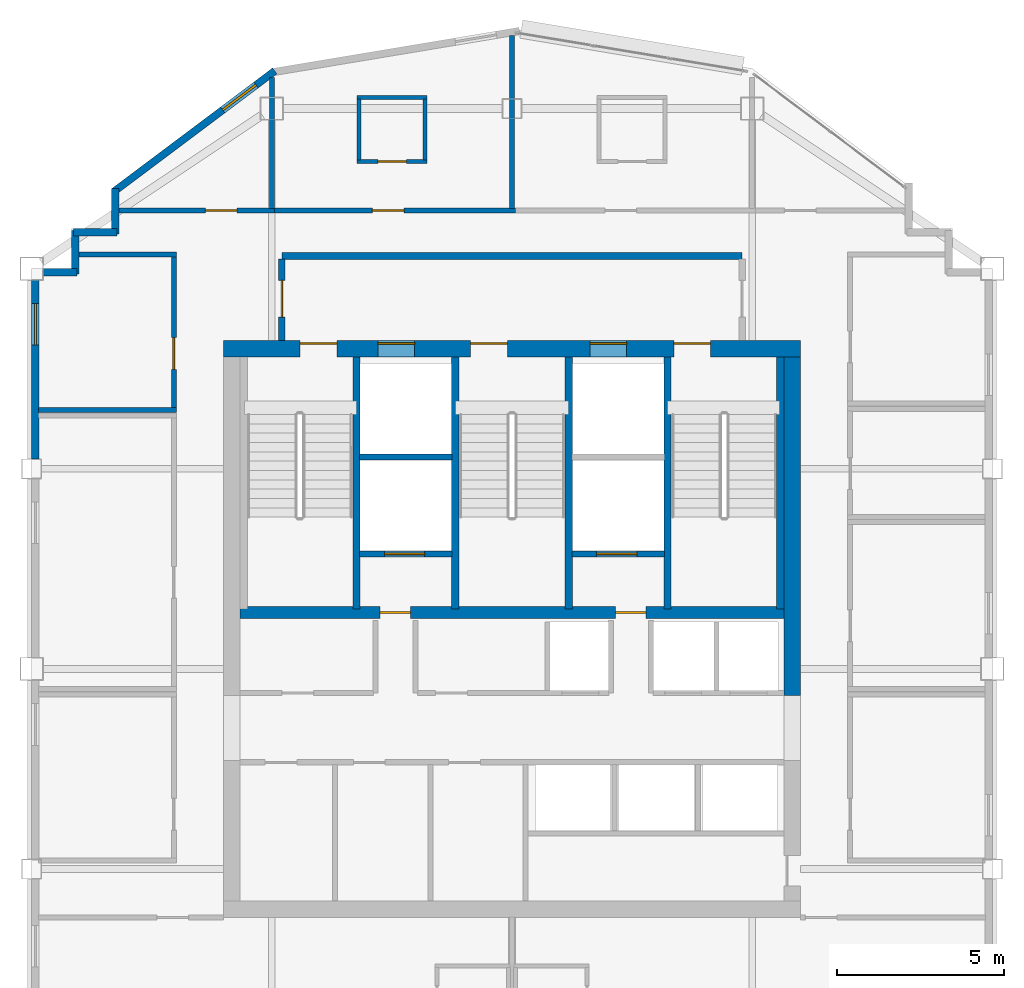
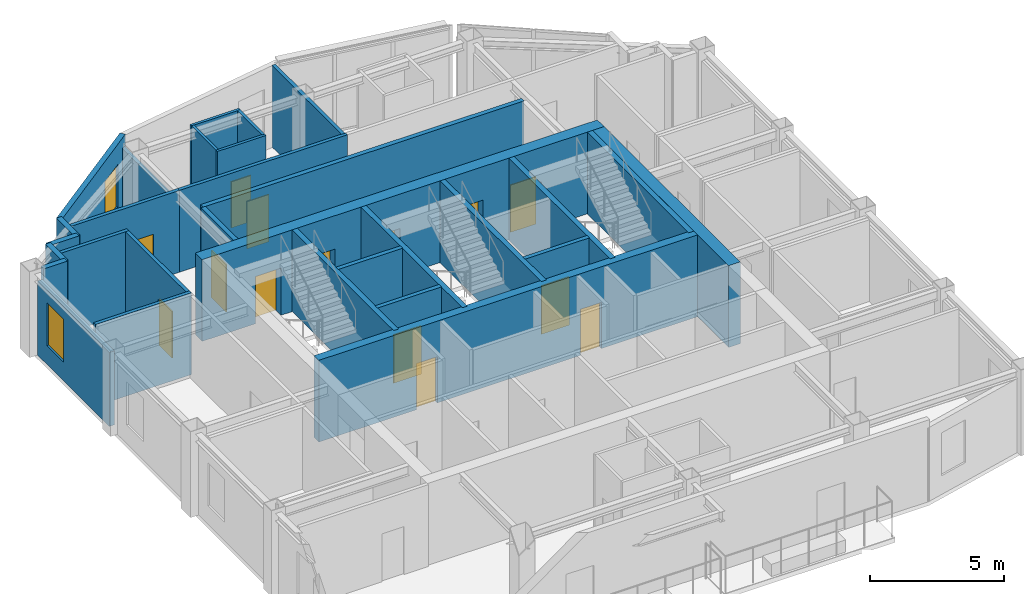
# One storey, part 6 of 10: 30 walls, 14 doors, 2 windows, 16 openings.
"""IFC4 building model written with IfcOpenShell, lengths in metres."""

from ifc_helpers import new_model, si_unit, direction, frame, frame_2d, origin, place, context, subcontext, project, spatial, rectangle, extrude, material, layer, layer_set, type_object, element, fill, save


model = new_model("IFC4")

# Units and contexts
model_context = context("Model", 3, precision=1e-05, world=origin(), true_north=direction((0.0, 1.0)))
body_context = subcontext(model_context, "Body", "Model", "MODEL_VIEW")
ifc_project = project(units=[si_unit("LENGTHUNIT", "METRE"), si_unit("AREAUNIT", "SQUARE_METRE"), si_unit("VOLUMEUNIT", "CUBIC_METRE"), si_unit("PLANEANGLEUNIT", "RADIAN"), si_unit("MASSUNIT", "GRAM", prefix="KILO")], contexts=[model_context])

# Site, building, storey
site_placement = place(None, origin())
site = spatial("IfcSite", under=ifc_project, at=site_placement, CompositionType="ELEMENT")
building_placement = place(site_placement, origin())
building = spatial("IfcBuilding", under=site, at=building_placement, Name="Haolan Belvedere Tower", CompositionType="ELEMENT")
storey_placement = place(building_placement, frame((0.0, 0.0, 286.10009765625)))
storey = spatial("IfcBuildingStorey", under=building, at=storey_placement, Name="L72", CompositionType="ELEMENT", Elevation=286.10009765625)

# Wall, openings, doors
ifc_material_1 = material(Name="Concrete C50/60", Category="concrete")
ifc_layer_1 = layer(ifc_material_1, 0.5, Name="Concrete C50/60")
ifc_layer_set_1 = layer_set([ifc_layer_1], Name="Concrete C50/60")
wall_type_1 = type_object("IfcWallType", Name="WL-CORE-500", PredefinedType="SHEAR", material=ifc_layer_set_1)
wall_1_placement = place(storey_placement, frame((29.75, 43.199951171875, 0.0), z_axis=(0.0, 0.0, 1.0), x_axis=(1.0, 0.0, 0.0)))
wall_1 = element("IfcWall", 1, at=wall_1_placement, inside=storey, type_object=wall_type_1, Name="L72 central core north shear wall", PredefinedType="SHEAR", context=body_context, shape_type="SweptSolid", body=[
    extrude(rectangle(XDim=17.300048828125, YDim=0.5, at=frame_2d((8.64990234375, 0.0))), origin(), (0.0, 0.0, 1.0), 3.719970703125),
])
opening_1_placement = place(wall_1_placement, frame((2.300048828125, 0.0, 0.0)))
opening_1 = element("IfcOpeningElement", 2, at=opening_1_placement, cuts=wall_1, Name="Opening FD-03", PredefinedType="OPENING", context=body_context, shape_type="SweptSolid", body=[
    extrude(rectangle(XDim=1.10009765625, YDim=2.14990234375, at=frame_2d((0.550048828125, 1.074951171875))), frame((0.0, 0.260009765625, 0.0), z_axis=(0.0, -1.0, 0.0), x_axis=(1.0, 0.0, 0.0)), (0.0, 0.0, 1.0), 0.52001953125),
])
opening_2_placement = place(wall_1_placement, frame((7.409912109375, 0.0, 0.0)))
opening_2 = element("IfcOpeningElement", 3, at=opening_2_placement, cuts=wall_1, Name="Opening FD-03", PredefinedType="OPENING", context=body_context, shape_type="SweptSolid", body=[
    extrude(rectangle(XDim=1.10009765625, YDim=2.14990234375, at=frame_2d((0.550048828125, 1.074951171875))), frame((0.0, 0.260009765625, 0.0), z_axis=(0.0, -1.0, 0.0), x_axis=(1.0, 0.0, 0.0)), (0.0, 0.0, 1.0), 0.52001953125),
])
opening_3_placement = place(wall_1_placement, frame((13.5, 0.0, 0.0)))
opening_3 = element("IfcOpeningElement", 4, at=opening_3_placement, cuts=wall_1, Name="Opening FD-03", PredefinedType="OPENING", context=body_context, shape_type="SweptSolid", body=[
    extrude(rectangle(XDim=1.10009765625, YDim=2.14990234375, at=frame_2d((0.550048828125, 1.074951171875))), frame((0.0, 0.260009765625, 0.0), z_axis=(0.0, -1.0, 0.0), x_axis=(1.0, 0.0, 0.0)), (0.0, 0.0, 1.0), 0.52001953125),
])
opening_4_placement = place(wall_1_placement, frame((4.6298828125, 0.0, 0.0)))
opening_4 = element("IfcOpeningElement", 5, at=opening_4_placement, cuts=wall_1, Name="Opening LD-01", PredefinedType="OPENING", context=body_context, shape_type="SweptSolid", body=[
    extrude(rectangle(XDim=1.10009765625, YDim=2.199951171875, at=frame_2d((0.550048828125, 1.10009765625))), frame((0.0, 0.260009765625, 0.0), z_axis=(0.0, -1.0, 0.0), x_axis=(1.0, 0.0, 0.0)), (0.0, 0.0, 1.0), 0.52001953125),
])
opening_5_placement = place(wall_1_placement, frame((10.989990234375, 0.0, 0.0)))
opening_5 = element("IfcOpeningElement", 6, at=opening_5_placement, cuts=wall_1, Name="Opening LD-01", PredefinedType="OPENING", context=body_context, shape_type="SweptSolid", body=[
    extrude(rectangle(XDim=1.10009765625, YDim=2.199951171875, at=frame_2d((0.550048828125, 1.10009765625))), frame((0.0, 0.260009765625, 0.0), z_axis=(0.0, -1.0, 0.0), x_axis=(1.0, 0.0, 0.0)), (0.0, 0.0, 1.0), 0.52001953125),
])
ifc_material_2 = material(Name="Galvanised fire-rated steel", Category="steel")
door_type_1 = type_object("IfcDoorType", Name="DR-FD90-1100", OperationType="NOTDEFINED", PredefinedType="DOOR", material=ifc_material_2)
door_1_placement = place(opening_1_placement, origin())
door_1 = element("IfcDoor", 7, at=door_1_placement, inside=storey, type_object=door_type_1, Name="L72 door CD-L72-ST1", OperationType="SINGLE_SWING_LEFT", OverallHeight=2.14990234375, OverallWidth=1.10009765625, PredefinedType="DOOR", context=body_context, shape_type="SweptSolid", body=[
    extrude(rectangle(XDim=1.10009765625, YDim=2.14990234375, at=frame_2d((0.550048828125, 1.074951171875))), frame((0.0, 0.18505859375, 0.0), z_axis=(0.0, -1.0, 0.0), x_axis=(1.0, 0.0, 0.0)), (0.0, 0.0, 1.0), 0.050048828125),
])
fill(opening_1, door_1)
door_2_placement = place(opening_2_placement, origin())
door_2 = element("IfcDoor", 8, at=door_2_placement, inside=storey, type_object=door_type_1, Name="L72 door CD-L72-ST3", OperationType="SINGLE_SWING_LEFT", OverallHeight=2.14990234375, OverallWidth=1.10009765625, PredefinedType="DOOR", context=body_context, shape_type="SweptSolid", body=[
    extrude(rectangle(XDim=1.10009765625, YDim=2.14990234375, at=frame_2d((0.550048828125, 1.074951171875))), frame((0.0, 0.18505859375, 0.0), z_axis=(0.0, -1.0, 0.0), x_axis=(1.0, 0.0, 0.0)), (0.0, 0.0, 1.0), 0.050048828125),
])
fill(opening_2, door_2)
door_3_placement = place(opening_3_placement, origin())
door_3 = element("IfcDoor", 9, at=door_3_placement, inside=storey, type_object=door_type_1, Name="L72 door CD-L72-ST2", OperationType="SINGLE_SWING_RIGHT", OverallHeight=2.14990234375, OverallWidth=1.10009765625, PredefinedType="DOOR", context=body_context, shape_type="SweptSolid", body=[
    extrude(rectangle(XDim=1.10009765625, YDim=2.14990234375, at=frame_2d((0.550048828125, 1.074951171875))), frame((0.0, 0.18505859375, 0.0), z_axis=(0.0, -1.0, 0.0), x_axis=(1.0, 0.0, 0.0)), (0.0, 0.0, 1.0), 0.050048828125),
])
fill(opening_3, door_3)
ifc_material_3 = material(Name="Brushed champagne stainless steel 316L", Category="steel")
door_type_2 = type_object("IfcDoorType", Name="DR-LIFT-1100", OperationType="SLIDING_TO_LEFT", PredefinedType="DOOR", material=ifc_material_3)
door_4_placement = place(opening_4_placement, origin())
door_4 = element("IfcDoor", 10, at=door_4_placement, inside=storey, type_object=door_type_2, Name="L72 door LD-L72-FF1", OperationType="SLIDING_TO_LEFT", OverallHeight=2.199951171875, OverallWidth=1.10009765625, PredefinedType="DOOR", context=body_context, shape_type="SweptSolid", body=[
    extrude(rectangle(XDim=1.10009765625, YDim=2.199951171875, at=frame_2d((0.550048828125, 1.10009765625))), frame((0.0, 0.18505859375, 0.0), z_axis=(0.0, -1.0, 0.0), x_axis=(1.0, 0.0, 0.0)), (0.0, 0.0, 1.0), 0.050048828125),
])
fill(opening_4, door_4)
door_5_placement = place(opening_5_placement, origin())
door_5 = element("IfcDoor", 11, at=door_5_placement, inside=storey, type_object=door_type_2, Name="L72 door LD-L72-FF2", OperationType="SLIDING_TO_LEFT", OverallHeight=2.199951171875, OverallWidth=1.10009765625, PredefinedType="DOOR", context=body_context, shape_type="SweptSolid", body=[
    extrude(rectangle(XDim=1.10009765625, YDim=2.199951171875, at=frame_2d((0.550048828125, 1.10009765625))), frame((0.0, 0.18505859375, 0.0), z_axis=(0.0, -1.0, 0.0), x_axis=(1.0, 0.0, 0.0)), (0.0, 0.0, 1.0), 0.050048828125),
])
fill(opening_5, door_5)

# Wall
wall_2_placement = place(storey_placement, frame((46.800048828125, 32.800048828125, 0.0), z_axis=(0.0, 0.0, 1.0), x_axis=(0.0, 1.0, 0.0)))
element("IfcWall", 12, at=wall_2_placement, inside=storey, type_object=wall_type_1, Name="L72 central core shear wall EN", PredefinedType="SHEAR", context=body_context, shape_type="SweptSolid", body=[
    extrude(rectangle(XDim=10.14990234375, YDim=0.5, at=frame_2d((5.074951171875, 0.0))), origin(), (0.0, 0.0, 1.0), 3.719970703125),
])

# Wall, opening, window
ifc_material_4 = material(Name="Precast concrete C40/50", Category="concrete")
ifc_layer_2 = layer(ifc_material_4, 0.219970703125, Name="Precast concrete C40/50")
ifc_layer_set_2 = layer_set([ifc_layer_2], Name="Precast concrete C40/50")
wall_type_2 = type_object("IfcWallType", Name="WL-EXT-220", PredefinedType="SOLIDWALL", material=ifc_layer_set_2)
wall_3_placement = place(storey_placement, frame((31.28857421875, 51.52880859375, 0.0), z_axis=(0.0, 0.0, 1.0), x_axis=(-0.800014580093, -0.599980559383, 0.0)))
wall_3 = element("IfcWall", 13, at=wall_3_placement, inside=storey, type_object=wall_type_2, Name="L72 pale-metal exterior spandrel wall 11.1", PredefinedType="SOLIDWALL", context=body_context, shape_type="SweptSolid", body=[
    extrude(rectangle(XDim=6.028076171875, YDim=0.219970703125, at=frame_2d((3.01416015625, 0.0))), origin(), (0.0, 0.0, 1.0), 3.719970703125),
])
opening_6_placement = place(wall_3_placement, frame((0.699951171875, 0.0, 0.85009765625)))
opening_6 = element("IfcOpeningElement", 14, at=opening_6_placement, cuts=wall_3, Name="Opening W-04", PredefinedType="OPENING", context=body_context, shape_type="SweptSolid", body=[
    extrude(rectangle(XDim=1.25, YDim=1.949951171875, at=frame_2d((0.625, 0.97509765625))), frame((0.0, 0.119873046875, 0.0), z_axis=(0.0, -1.0, 0.0), x_axis=(1.0, 0.0, 0.0)), (0.0, 0.0, 1.0), 0.239990234375),
])
ifc_material_5 = material(Name="Anodised aluminium 6063-T6 and Low-E glass", Category="aluminium")
window_type = type_object("IfcWindowType", Name="WN-DECO-Z4", PartitioningType="SINGLE_PANEL", PredefinedType="WINDOW", material=ifc_material_5)
window_1_placement = place(opening_6_placement, origin())
window_1 = element("IfcWindow", 15, at=window_1_placement, inside=storey, type_object=window_type, Name="L72 Art Deco chevron window 1", OverallHeight=1.949951171875, OverallWidth=1.25, PartitioningType="SINGLE_PANEL", PredefinedType="WINDOW", context=body_context, shape_type="SweptSolid", body=[
    extrude(rectangle(XDim=1.25, YDim=1.949951171875, at=frame_2d((0.625, 0.97509765625))), frame((0.0, 0.030029296875, 0.0), z_axis=(0.0, -1.0, 0.0), x_axis=(1.0, 0.0, 0.0)), (0.0, 0.0, 1.0), 0.06005859375),
])
fill(opening_6, window_1)

# Walls
wall_4_placement = place(storey_placement, frame((26.510009765625, 48.0, 0.0), z_axis=(0.0, 0.0, 1.0), x_axis=(0.0, -1.0, 0.0)))
element("IfcWall", 16, at=wall_4_placement, inside=storey, type_object=wall_type_2, Name="L72 pale-metal exterior spandrel wall 12.1", PredefinedType="SOLIDWALL", context=body_context, shape_type="SweptSolid", body=[
    extrude(rectangle(XDim=1.364990234375, YDim=0.219970703125, at=frame_2d((0.6826171875, 0.0))), origin(), (0.0, 0.0, 1.0), 3.719970703125),
])
for number, where, z_axis, x_axis, name in (
    (17, (26.56494140625, 46.68994140625, 0.0), (0.0, 0.0, 1.0), (-1.0, 0.0, 0.0), "L72 pale-metal exterior spandrel wall 13.1"),
    (18, (25.31005859375, 46.7451171875, 0.0), (0.0, 0.0, 1.0), (0.0, -1.0, 0.0), "L72 pale-metal exterior spandrel wall 14.1"),
):
    element("IfcWall", number, at=place(storey_placement, frame(where, z_axis=z_axis, x_axis=x_axis)), inside=storey, type_object=wall_type_2, Name=name, PredefinedType="SOLIDWALL", context=body_context, shape_type="SweptSolid", body=[
        extrude(rectangle(XDim=1.31005859375, YDim=0.219970703125, at=frame_2d((0.655029296875, 0.0))), origin(), (0.0, 0.0, 1.0), 3.719970703125),
    ])
wall_5_placement = place(storey_placement, frame((25.364990234375, 45.489990234375, 0.0), z_axis=(0.0, 0.0, 1.0), x_axis=(-1.0, 0.0, 0.0)))
element("IfcWall", 19, at=wall_5_placement, inside=storey, type_object=wall_type_2, Name="L72 pale-metal exterior spandrel wall 15.1", PredefinedType="SOLIDWALL", context=body_context, shape_type="SweptSolid", body=[
    extrude(rectangle(XDim=1.02294921875, YDim=0.219970703125, at=frame_2d((0.511474609375, 0.0))), origin(), (0.0, 0.0, 1.0), 3.719970703125),
])

# Wall, opening, window
wall_6_placement = place(storey_placement, frame((24.110107421875, 45.258056640625, 0.0), z_axis=(0.0, 0.0, 1.0), x_axis=(0.0, -1.0, 0.0)))
wall_6 = element("IfcWall", 20, at=wall_6_placement, inside=storey, type_object=wall_type_2, Name="L72 pale-metal exterior spandrel wall 16.1", PredefinedType="SOLIDWALL", context=body_context, shape_type="SweptSolid", body=[
    extrude(rectangle(XDim=5.365966796875, YDim=0.219970703125, at=frame_2d((2.68310546875, 0.0))), origin(), (0.0, 0.0, 1.0), 3.364990234375),
])
opening_7_placement = place(wall_6_placement, frame((0.699951171875, 0.0, 0.85009765625)))
opening_7 = element("IfcOpeningElement", 21, at=opening_7_placement, cuts=wall_6, Name="Opening W-04", PredefinedType="OPENING", context=body_context, shape_type="SweptSolid", body=[
    extrude(rectangle(XDim=1.25, YDim=1.949951171875, at=frame_2d((0.625, 0.97509765625))), frame((0.0, 0.119873046875, 0.0), z_axis=(0.0, -1.0, 0.0), x_axis=(1.0, 0.0, 0.0)), (0.0, 0.0, 1.0), 0.239990234375),
])
window_2_placement = place(opening_7_placement, origin())
window_2 = element("IfcWindow", 22, at=window_2_placement, inside=storey, type_object=window_type, Name="L72 Art Deco chevron window 1", OverallHeight=1.949951171875, OverallWidth=1.25, PartitioningType="SINGLE_PANEL", PredefinedType="WINDOW", context=body_context, shape_type="SweptSolid", body=[
    extrude(rectangle(XDim=1.25, YDim=1.949951171875, at=frame_2d((0.625, 0.97509765625))), frame((0.0, 0.030029296875, 0.0), z_axis=(0.0, -1.0, 0.0), x_axis=(1.0, 0.0, 0.0)), (0.0, 0.0, 1.0), 0.06005859375),
])
fill(opening_7, window_2)

# Wall
ifc_material_6 = material(Name="Concrete C40/50", Category="concrete")
ifc_layer_3 = layer(ifc_material_6, 0.199951171875, Name="Concrete C40/50")
ifc_layer_set_3 = layer_set([ifc_layer_3], Name="Concrete C40/50")
wall_type_3 = type_object("IfcWallType", Name="WL-FIRE-200", PredefinedType="SOLIDWALL", material=ifc_layer_set_3)
wall_7_placement = place(storey_placement, frame((31.5, 45.97998046875, 0.0), z_axis=(0.0, 0.0, 1.0), x_axis=(1.0, 0.0, 0.0)))
element("IfcWall", 23, at=wall_7_placement, inside=storey, type_object=wall_type_3, Name="L72 interior partition IW-L72-FFL-N", PredefinedType="SOLIDWALL", context=body_context, shape_type="SweptSolid", body=[
    extrude(rectangle(XDim=13.800048828125, YDim=0.199951171875, at=frame_2d((6.89990234375, 0.0))), origin(), (0.0, 0.0, 1.0), 3.719970703125),
])

# Wall, opening, door
wall_8_placement = place(storey_placement, frame((31.5, 43.449951171875, 0.0), z_axis=(0.0, 0.0, 1.0), x_axis=(0.0, 1.0, 0.0)))
wall_8 = element("IfcWall", 24, at=wall_8_placement, inside=storey, type_object=wall_type_3, Name="L72 interior partition IW-L72-FFL-W", PredefinedType="SOLIDWALL", context=body_context, shape_type="SweptSolid", body=[
    extrude(rectangle(XDim=2.445068359375, YDim=0.199951171875, at=frame_2d((1.22265625, 0.0))), origin(), (0.0, 0.0, 1.0), 3.719970703125),
])
opening_8_placement = place(wall_8_placement, frame((1.800048828125, 0.0, 0.0), z_axis=(0.0, 0.0, 1.0), x_axis=(-1.0, 0.0, 0.0)))
opening_8 = element("IfcOpeningElement", 25, at=opening_8_placement, cuts=wall_8, Name="Opening FD-03", PredefinedType="OPENING", context=body_context, shape_type="SweptSolid", body=[
    extrude(rectangle(XDim=1.10009765625, YDim=2.14990234375, at=frame_2d((0.550048828125, 1.074951171875))), frame((0.0, 0.10986328125, 0.0), z_axis=(0.0, -1.0, 0.0), x_axis=(1.0, 0.0, 0.0)), (0.0, 0.0, 1.0), 0.219970703125),
])
door_6_placement = place(opening_8_placement, origin())
door_6 = element("IfcDoor", 26, at=door_6_placement, inside=storey, type_object=door_type_1, Name="L72 door ID-L72-FFL-DW", OperationType="SINGLE_SWING_LEFT", OverallHeight=2.14990234375, OverallWidth=1.10009765625, PredefinedType="DOOR", context=body_context, shape_type="SweptSolid", body=[
    extrude(rectangle(XDim=1.10009765625, YDim=2.14990234375, at=frame_2d((0.550048828125, 1.074951171875))), frame((0.0, 0.02490234375, 0.0), z_axis=(0.0, -1.0, 0.0), x_axis=(1.0, 0.0, 0.0)), (0.0, 0.0, 1.0), 0.050048828125),
])
fill(opening_8, door_6)

# Walls
ifc_material_7 = material(Name="Double gypsum acoustic stud partition", Category="masonry")
ifc_layer_4 = layer(ifc_material_7, 0.14990234375, Name="Double gypsum acoustic stud partition")
ifc_layer_set_4 = layer_set([ifc_layer_4], Name="Double gypsum acoustic stud partition")
wall_type_4 = type_object("IfcWallType", Name="WL-PART-150", PredefinedType="PARTITIONING", material=ifc_layer_set_4)
wall_9_placement = place(storey_placement, frame((25.412109375, 46.02001953125, 0.0), z_axis=(0.0, 0.0, 1.0), x_axis=(1.0, 0.0, 0.0)))
element("IfcWall", 27, at=wall_9_placement, inside=storey, type_object=wall_type_4, Name="L72 interior partition IW-L72-HSK-N", PredefinedType="PARTITIONING", context=body_context, shape_type="SweptSolid", body=[
    extrude(rectangle(XDim=2.927978515625, YDim=0.14990234375, at=frame_2d((1.4638671875, 0.0))), origin(), (0.0, 0.0, 1.0), 3.719970703125),
])
wall_10_placement = place(storey_placement, frame((24.2119140625, 41.360107421875, 0.0), z_axis=(0.0, 0.0, 1.0), x_axis=(1.0, 0.0, 0.0)))
element("IfcWall", 28, at=wall_10_placement, inside=storey, type_object=wall_type_4, Name="L72 interior partition IW-L72-HSK-S", PredefinedType="PARTITIONING", context=body_context, shape_type="SweptSolid", body=[
    extrude(rectangle(XDim=4.128173828125, YDim=0.14990234375, at=frame_2d((2.06396484375, 0.0))), origin(), (0.0, 0.0, 1.0), 3.719970703125),
])

# Wall, opening, door
wall_11_placement = place(storey_placement, frame((28.260009765625, 41.419921875, 0.0), z_axis=(0.0, 0.0, 1.0), x_axis=(0.0, 1.0, 0.0)))
wall_11 = element("IfcWall", 29, at=wall_11_placement, inside=storey, type_object=wall_type_4, Name="L72 interior partition IW-L72-HSK-E", PredefinedType="PARTITIONING", context=body_context, shape_type="SweptSolid", body=[
    extrude(rectangle(XDim=4.5400390625, YDim=0.14990234375, at=frame_2d((2.27001953125, 0.0))), origin(), (0.0, 0.0, 1.0), 3.719970703125),
])
opening_9_placement = place(wall_11_placement, frame((2.10986328125, 0.0, 0.0), z_axis=(0.0, 0.0, 1.0), x_axis=(-1.0, 0.0, 0.0)))
opening_9 = element("IfcOpeningElement", 30, at=opening_9_placement, cuts=wall_11, Name="Opening ID-03", PredefinedType="OPENING", context=body_context, shape_type="SweptSolid", body=[
    extrude(rectangle(XDim=0.949951171875, YDim=2.1201171875, at=frame_2d((0.47509765625, 1.06005859375))), frame((0.0, 0.0849609375, 0.0), z_axis=(0.0, -1.0, 0.0), x_axis=(1.0, 0.0, 0.0)), (0.0, 0.0, 1.0), 0.169921875),
])
ifc_material_8 = material(Name="Painted solid-core timber", Category="wood")
door_type_3 = type_object("IfcDoorType", Name="DR-INT-950", OperationType="NOTDEFINED", PredefinedType="DOOR", material=ifc_material_8)
door_7_placement = place(opening_9_placement, origin())
door_7 = element("IfcDoor", 31, at=door_7_placement, inside=storey, type_object=door_type_3, Name="L72 door ID-L72-HSK", OperationType="SINGLE_SWING_RIGHT", OverallHeight=2.1201171875, OverallWidth=0.949951171875, PredefinedType="DOOR", context=body_context, shape_type="SweptSolid", body=[
    extrude(rectangle(XDim=0.949951171875, YDim=2.1201171875, at=frame_2d((0.47509765625, 1.06005859375))), frame((0.0, 0.02490234375, 0.0), z_axis=(0.0, -1.0, 0.0), x_axis=(1.0, 0.0, 0.0)), (0.0, 0.0, 1.0), 0.050048828125),
])
fill(opening_9, door_7)

wall_12_placement = place(storey_placement, frame((26.612060546875, 47.340087890625, 0.0), z_axis=(0.0, 0.0, 1.0), x_axis=(1.0, 0.0, 0.0)))
wall_12 = element("IfcWall", 32, at=wall_12_placement, inside=storey, type_object=wall_type_4, Name="L72 interior partition IW-L72-KN1-S", PredefinedType="PARTITIONING", context=body_context, shape_type="SweptSolid", body=[
    extrude(rectangle(XDim=4.66796875, YDim=0.14990234375, at=frame_2d((2.333984375, 0.0))), origin(), (0.0, 0.0, 1.0), 3.719970703125),
])
opening_10_placement = place(wall_12_placement, frame((2.593017578125, 0.0, 0.0)))
opening_10 = element("IfcOpeningElement", 33, at=opening_10_placement, cuts=wall_12, Name="Opening ID-03", PredefinedType="OPENING", context=body_context, shape_type="SweptSolid", body=[
    extrude(rectangle(XDim=0.949951171875, YDim=2.1201171875, at=frame_2d((0.47509765625, 1.06005859375))), frame((0.0, 0.0849609375, 0.0), z_axis=(0.0, -1.0, 0.0), x_axis=(1.0, 0.0, 0.0)), (0.0, 0.0, 1.0), 0.169921875),
])
door_8_placement = place(opening_10_placement, origin())
door_8 = element("IfcDoor", 34, at=door_8_placement, inside=storey, type_object=door_type_3, Name="L72 door ID-L72-KN1", OperationType="SINGLE_SWING_RIGHT", OverallHeight=2.1201171875, OverallWidth=0.949951171875, PredefinedType="DOOR", context=body_context, shape_type="SweptSolid", body=[
    extrude(rectangle(XDim=0.949951171875, YDim=2.1201171875, at=frame_2d((0.47509765625, 1.06005859375))), frame((0.0, 0.02490234375, 0.0), z_axis=(0.0, -1.0, 0.0), x_axis=(1.0, 0.0, 0.0)), (0.0, 0.0, 1.0), 0.050048828125),
])
fill(opening_10, door_8)

# Wall
wall_13_placement = place(storey_placement, frame((31.199951171875, 47.39990234375, 0.0), z_axis=(0.0, 0.0, 1.0), x_axis=(0.0, 1.0, 0.0)))
element("IfcWall", 35, at=wall_13_placement, inside=storey, type_object=wall_type_4, Name="L72 interior partition IW-L72-KN1-E", PredefinedType="PARTITIONING", context=body_context, shape_type="SweptSolid", body=[
    extrude(rectangle(XDim=3.93505859375, YDim=0.14990234375, at=frame_2d((1.967529296875, 0.0))), origin(), (0.0, 0.0, 1.0), 3.2548828125),
])

# Wall, opening, door
wall_14_placement = place(storey_placement, frame((31.281982421875, 47.340087890625, 0.0), z_axis=(0.0, 0.0, 1.0), x_axis=(1.0, 0.0, 0.0)))
wall_14 = element("IfcWall", 36, at=wall_14_placement, inside=storey, type_object=wall_type_4, Name="L72 interior partition IW-L72-KN2-S", PredefinedType="PARTITIONING", context=body_context, shape_type="SweptSolid", body=[
    extrude(rectangle(XDim=7.218017578125, YDim=0.14990234375, at=frame_2d((3.60888671875, 0.0))), origin(), (0.0, 0.0, 1.0), 3.719970703125),
])
opening_11_placement = place(wall_14_placement, frame((2.93017578125, 0.0, 0.0)))
opening_11 = element("IfcOpeningElement", 37, at=opening_11_placement, cuts=wall_14, Name="Opening ID-02", PredefinedType="OPENING", context=body_context, shape_type="SweptSolid", body=[
    extrude(rectangle(XDim=0.949951171875, YDim=2.14990234375, at=frame_2d((0.47509765625, 1.074951171875))), frame((0.0, 0.0849609375, 0.0), z_axis=(0.0, -1.0, 0.0), x_axis=(1.0, 0.0, 0.0)), (0.0, 0.0, 1.0), 0.169921875),
])
ifc_material_9 = material(Name="Acoustic oak veneer fire-rated timber", Category="wood")
door_type_4 = type_object("IfcDoorType", Name="DR-GUEST-950", OperationType="NOTDEFINED", PredefinedType="DOOR", material=ifc_material_9)
door_9_placement = place(opening_11_placement, origin())
door_9 = element("IfcDoor", 38, at=door_9_placement, inside=storey, type_object=door_type_4, Name="L72 door ID-L72-KN2-ENT", OperationType="SINGLE_SWING_LEFT", OverallHeight=2.14990234375, OverallWidth=0.949951171875, PredefinedType="DOOR", context=body_context, shape_type="SweptSolid", body=[
    extrude(rectangle(XDim=0.949951171875, YDim=2.14990234375, at=frame_2d((0.47509765625, 1.074951171875))), frame((0.0, 0.02490234375, 0.0), z_axis=(0.0, -1.0, 0.0), x_axis=(1.0, 0.0, 0.0)), (0.0, 0.0, 1.0), 0.050048828125),
])
fill(opening_11, door_9)

# Walls
wall_15_placement = place(storey_placement, frame((38.39990234375, 47.39990234375, 0.0), z_axis=(0.0, 0.0, 1.0), x_axis=(0.0, 1.0, 0.0)))
element("IfcWall", 39, at=wall_15_placement, inside=storey, type_object=wall_type_4, Name="L72 interior partition IW-L72-KN2-E", PredefinedType="PARTITIONING", context=body_context, shape_type="SweptSolid", body=[
    extrude(rectangle(XDim=5.185302734375, YDim=0.14990234375, at=frame_2d((2.5927734375, 0.0))), origin(), (0.0, 0.0, 1.0), 3.719970703125),
])
ifc_layer_5 = layer(ifc_material_4, 0.179931640625, Name="Precast concrete C40/50")
ifc_layer_set_5 = layer_set([ifc_layer_5], Name="Precast concrete C40/50")
wall_type_5 = type_object("IfcWallType", Name="WL-SHAFT-180", PredefinedType="SOLIDWALL", material=ifc_layer_set_5)
wall_16_placement = place(storey_placement, frame((33.8349609375, 39.949951171875, 0.0), z_axis=(0.0, 0.0, 1.0), x_axis=(1.0, 0.0, 0.0)))
element("IfcWall", 40, at=wall_16_placement, inside=storey, type_object=wall_type_5, Name="L72 interior partition IW-L72-FF1-S", PredefinedType="SOLIDWALL", context=body_context, shape_type="SweptSolid", body=[
    extrude(rectangle(XDim=2.77001953125, YDim=0.179931640625, at=frame_2d((1.385009765625, 0.0))), origin(), (0.0, 0.0, 1.0), 3.719970703125),
])

# Wall, opening, door
wall_17_placement = place(storey_placement, frame((33.8349609375, 37.050048828125, 0.0), z_axis=(0.0, 0.0, 1.0), x_axis=(1.0, 0.0, 0.0)))
wall_17 = element("IfcWall", 41, at=wall_17_placement, inside=storey, type_object=wall_type_5, Name="L72 interior partition IW-L72-SV1-S", PredefinedType="SOLIDWALL", context=body_context, shape_type="SweptSolid", body=[
    extrude(rectangle(XDim=2.77001953125, YDim=0.179931640625, at=frame_2d((1.385009765625, 0.0))), origin(), (0.0, 0.0, 1.0), 3.719970703125),
])
opening_12_placement = place(wall_17_placement, frame((1.945068359375, 0.0, 0.0), z_axis=(0.0, 0.0, 1.0), x_axis=(-1.0, 0.0, 0.0)))
opening_12 = element("IfcOpeningElement", 42, at=opening_12_placement, cuts=wall_17, Name="Opening LD-02", PredefinedType="OPENING", context=body_context, shape_type="SweptSolid", body=[
    extrude(rectangle(XDim=1.199951171875, YDim=2.199951171875, at=frame_2d((0.60009765625, 1.10009765625))), frame((0.0, 0.099853515625, 0.0), z_axis=(0.0, -1.0, 0.0), x_axis=(1.0, 0.0, 0.0)), (0.0, 0.0, 1.0), 0.199951171875),
])
door_type_5 = type_object("IfcDoorType", Name="DR-LIFT-1200", OperationType="SLIDING_TO_RIGHT", PredefinedType="DOOR", material=ifc_material_3)
door_10_placement = place(opening_12_placement, origin())
door_10 = element("IfcDoor", 43, at=door_10_placement, inside=storey, type_object=door_type_5, Name="L72 door ID-L72-LD-SV1", OperationType="SLIDING_TO_RIGHT", OverallHeight=2.199951171875, OverallWidth=1.199951171875, PredefinedType="DOOR", context=body_context, shape_type="SweptSolid", body=[
    extrude(rectangle(XDim=1.199951171875, YDim=2.199951171875, at=frame_2d((0.60009765625, 1.10009765625))), frame((0.0, 0.02490234375, 0.0), z_axis=(0.0, -1.0, 0.0), x_axis=(1.0, 0.0, 0.0)), (0.0, 0.0, 1.0), 0.050048828125),
])
fill(opening_12, door_10)

wall_18_placement = place(storey_placement, frame((40.195068359375, 37.050048828125, 0.0), z_axis=(0.0, 0.0, 1.0), x_axis=(1.0, 0.0, 0.0)))
wall_18 = element("IfcWall", 44, at=wall_18_placement, inside=storey, type_object=wall_type_5, Name="L72 interior partition IW-L72-SV2-S", PredefinedType="SOLIDWALL", context=body_context, shape_type="SweptSolid", body=[
    extrude(rectangle(XDim=2.77001953125, YDim=0.179931640625, at=frame_2d((1.385009765625, 0.0))), origin(), (0.0, 0.0, 1.0), 3.719970703125),
])
opening_13_placement = place(wall_18_placement, frame((1.945068359375, 0.0, 0.0), z_axis=(0.0, 0.0, 1.0), x_axis=(-1.0, 0.0, 0.0)))
opening_13 = element("IfcOpeningElement", 45, at=opening_13_placement, cuts=wall_18, Name="Opening LD-02", PredefinedType="OPENING", context=body_context, shape_type="SweptSolid", body=[
    extrude(rectangle(XDim=1.199951171875, YDim=2.199951171875, at=frame_2d((0.60009765625, 1.10009765625))), frame((0.0, 0.099853515625, 0.0), z_axis=(0.0, -1.0, 0.0), x_axis=(1.0, 0.0, 0.0)), (0.0, 0.0, 1.0), 0.199951171875),
])
door_11_placement = place(opening_13_placement, origin())
door_11 = element("IfcDoor", 46, at=door_11_placement, inside=storey, type_object=door_type_5, Name="L72 door ID-L72-LD-SV2", OperationType="SLIDING_TO_RIGHT", OverallHeight=2.199951171875, OverallWidth=1.199951171875, PredefinedType="DOOR", context=body_context, shape_type="SweptSolid", body=[
    extrude(rectangle(XDim=1.199951171875, YDim=2.199951171875, at=frame_2d((0.60009765625, 1.10009765625))), frame((0.0, 0.02490234375, 0.0), z_axis=(0.0, -1.0, 0.0), x_axis=(1.0, 0.0, 0.0)), (0.0, 0.0, 1.0), 0.050048828125),
])
fill(opening_13, door_11)

# Walls
ifc_layer_6 = layer(ifc_material_1, 0.219970703125, Name="Concrete C50/60")
ifc_layer_set_6 = layer_set([ifc_layer_6], Name="Concrete C50/60")
wall_type_6 = type_object("IfcWallType", Name="WL-STAIR-220", PredefinedType="SHEAR", material=ifc_layer_set_6)
for number, where, z_axis, x_axis, name in (
    (47, (33.739990234375, 35.389892578125, 0.0), (0.0, 0.0, 1.0), (0.0, 1.0, 0.0), "L72 structural stair core wall ST1E"),
    (48, (36.699951171875, 35.389892578125, 0.0), (0.0, 0.0, 1.0), (0.0, 1.0, 0.0), "L72 structural stair core wall ST3W"),
    (49, (40.10009765625, 35.389892578125, 0.0), (0.0, 0.0, 1.0), (0.0, 1.0, 0.0), "L72 structural stair core wall ST3E"),
    (50, (43.06005859375, 35.389892578125, 0.0), (0.0, 0.0, 1.0), (0.0, 1.0, 0.0), "L72 structural stair core wall ST2W"),
    (51, (46.43798828125, 35.389892578125, 0.0), (0.0, 0.0, 1.0), (0.0, 1.0, 0.0), "L72 structural stair core wall ST2E"),
):
    element("IfcWall", number, at=place(storey_placement, frame(where, z_axis=z_axis, x_axis=x_axis)), inside=storey, type_object=wall_type_6, Name=name, PredefinedType="SHEAR", context=body_context, shape_type="SweptSolid", body=[
        extrude(rectangle(XDim=7.56005859375, YDim=0.219970703125, at=frame_2d((3.780029296875, 0.0))), origin(), (0.0, 0.0, 1.0), 3.719970703125),
    ])

# Wall, openings, doors
ifc_material_10 = material(Name="Concrete C60/75", Category="concrete")
ifc_layer_7 = layer(ifc_material_10, 0.360107421875, Name="Concrete C60/75")
ifc_layer_set_7 = layer_set([ifc_layer_7], Name="Concrete C60/75")
wall_type_7 = type_object("IfcWallType", Name="WL-WEB-350", PredefinedType="SHEAR", material=ifc_layer_set_7)
wall_19_placement = place(storey_placement, frame((30.25, 35.2900390625, 0.0), z_axis=(0.0, 0.0, 1.0), x_axis=(1.0, 0.0, 0.0)))
wall_19 = element("IfcWall", 52, at=wall_19_placement, inside=storey, type_object=wall_type_7, Name="L72 central core internal shear web", PredefinedType="SHEAR", context=body_context, shape_type="SweptSolid", body=[
    extrude(rectangle(XDim=16.300048828125, YDim=0.360107421875, at=frame_2d((8.14990234375, 0.0))), origin(), (0.0, 0.0, 1.0), 3.719970703125),
])
opening_14_placement = place(wall_19_placement, frame((5.099853515625, 0.0, 0.0), z_axis=(0.0, 0.0, 1.0), x_axis=(-1.0, 0.0, 0.0)))
opening_14 = element("IfcOpeningElement", 53, at=opening_14_placement, cuts=wall_19, Name="Opening FD-05", PredefinedType="OPENING", context=body_context, shape_type="SweptSolid", body=[
    extrude(rectangle(XDim=0.89990234375, YDim=2.10009765625, at=frame_2d((0.449951171875, 1.050048828125))), frame((0.0, 0.18994140625, 0.0), z_axis=(0.0, -1.0, 0.0), x_axis=(1.0, 0.0, 0.0)), (0.0, 0.0, 1.0), 0.380126953125),
])
opening_15_placement = place(wall_19_placement, frame((12.159912109375, 0.0, 0.0), z_axis=(0.0, 0.0, 1.0), x_axis=(-1.0, 0.0, 0.0)))
opening_15 = element("IfcOpeningElement", 54, at=opening_15_placement, cuts=wall_19, Name="Opening FD-05", PredefinedType="OPENING", context=body_context, shape_type="SweptSolid", body=[
    extrude(rectangle(XDim=0.89990234375, YDim=2.10009765625, at=frame_2d((0.449951171875, 1.050048828125))), frame((0.0, 0.18994140625, 0.0), z_axis=(0.0, -1.0, 0.0), x_axis=(1.0, 0.0, 0.0)), (0.0, 0.0, 1.0), 0.380126953125),
])
door_type_6 = type_object("IfcDoorType", Name="DR-FD60-900", OperationType="NOTDEFINED", PredefinedType="DOOR", material=ifc_material_2)
door_12_placement = place(opening_14_placement, origin())
door_12 = element("IfcDoor", 55, at=door_12_placement, inside=storey, type_object=door_type_6, Name="L72 door CD-L72-SVL-SV1", OperationType="SINGLE_SWING_RIGHT", OverallHeight=2.10009765625, OverallWidth=0.89990234375, PredefinedType="DOOR", context=body_context, shape_type="SweptSolid", body=[
    extrude(rectangle(XDim=0.89990234375, YDim=2.10009765625, at=frame_2d((0.449951171875, 1.050048828125))), frame((0.0, 0.02490234375, 0.0), z_axis=(0.0, -1.0, 0.0), x_axis=(1.0, 0.0, 0.0)), (0.0, 0.0, 1.0), 0.050048828125),
])
fill(opening_14, door_12)
door_13_placement = place(opening_15_placement, origin())
door_13 = element("IfcDoor", 56, at=door_13_placement, inside=storey, type_object=door_type_6, Name="L72 door CD-L72-SVL-SV2", OperationType="SINGLE_SWING_RIGHT", OverallHeight=2.10009765625, OverallWidth=0.89990234375, PredefinedType="DOOR", context=body_context, shape_type="SweptSolid", body=[
    extrude(rectangle(XDim=0.89990234375, YDim=2.10009765625, at=frame_2d((0.449951171875, 1.050048828125))), frame((0.0, 0.02490234375, 0.0), z_axis=(0.0, -1.0, 0.0), x_axis=(1.0, 0.0, 0.0)), (0.0, 0.0, 1.0), 0.050048828125),
])
fill(opening_15, door_13)

# Wall
ifc_material_11 = material(Name="Moisture-resistant gypsum tile partition", Category="masonry")
ifc_layer_8 = layer(ifc_material_11, 0.1201171875, Name="Moisture-resistant gypsum tile partition")
ifc_layer_set_8 = layer_set([ifc_layer_8], Name="Moisture-resistant gypsum tile partition")
wall_type_8 = type_object("IfcWallType", Name="WL-WET-120", PredefinedType="PARTITIONING", material=ifc_layer_set_8)
wall_20_placement = place(storey_placement, frame((33.757080078125, 50.72998046875, 0.0), z_axis=(0.0, 0.0, 1.0), x_axis=(1.0, 0.0, 0.0)))
element("IfcWall", 57, at=wall_20_placement, inside=storey, type_object=wall_type_8, Name="L72 interior partition IW-L72-KN2-BN", PredefinedType="PARTITIONING", context=body_context, shape_type="SweptSolid", body=[
    extrude(rectangle(XDim=2.099853515625, YDim=0.1201171875, at=frame_2d((1.0498046875, 0.0))), origin(), (0.0, 0.0, 1.0), 3.719970703125),
])

# Wall, opening, door
wall_21_placement = place(storey_placement, frame((33.757080078125, 48.81005859375, 0.0), z_axis=(0.0, 0.0, 1.0), x_axis=(1.0, 0.0, 0.0)))
wall_21 = element("IfcWall", 58, at=wall_21_placement, inside=storey, type_object=wall_type_8, Name="L72 interior partition IW-L72-KN2-BS", PredefinedType="PARTITIONING", context=body_context, shape_type="SweptSolid", body=[
    extrude(rectangle(XDim=2.099853515625, YDim=0.1201171875, at=frame_2d((1.0498046875, 0.0))), origin(), (0.0, 0.0, 1.0), 3.719970703125),
])
opening_16_placement = place(wall_21_placement, frame((0.625, 0.0, 0.0)))
opening_16 = element("IfcOpeningElement", 59, at=opening_16_placement, cuts=wall_21, Name="Opening ID-05", PredefinedType="OPENING", context=body_context, shape_type="SweptSolid", body=[
    extrude(rectangle(XDim=0.85009765625, YDim=2.10009765625, at=frame_2d((0.425048828125, 1.050048828125))), frame((0.0, 0.070068359375, 0.0), z_axis=(0.0, -1.0, 0.0), x_axis=(1.0, 0.0, 0.0)), (0.0, 0.0, 1.0), 0.14013671875),
])
ifc_material_12 = material(Name="Moisture-resistant lacquered timber", Category="wood")
door_type_7 = type_object("IfcDoorType", Name="DR-BATH-850", OperationType="NOTDEFINED", PredefinedType="DOOR", material=ifc_material_12)
door_14_placement = place(opening_16_placement, origin())
door_14 = element("IfcDoor", 60, at=door_14_placement, inside=storey, type_object=door_type_7, Name="L72 door ID-L72-KN2-BATH", OperationType="SINGLE_SWING_RIGHT", OverallHeight=2.10009765625, OverallWidth=0.85009765625, PredefinedType="DOOR", context=body_context, shape_type="SweptSolid", body=[
    extrude(rectangle(XDim=0.85009765625, YDim=2.10009765625, at=frame_2d((0.425048828125, 1.050048828125))), frame((0.0, 0.02490234375, 0.0), z_axis=(0.0, -1.0, 0.0), x_axis=(1.0, 0.0, 0.0)), (0.0, 0.0, 1.0), 0.050048828125),
])
fill(opening_16, door_14)

# Walls
for number, where, z_axis, x_axis, name in (
    (61, (33.81689453125, 48.85498046875, 0.0), (0.0, 0.0, 1.0), (0.0, 1.0, 0.0), "L72 interior partition IW-L72-KN2-BW"),
    (62, (35.797119140625, 48.85498046875, 0.0), (0.0, 0.0, 1.0), (0.0, 1.0, 0.0), "L72 interior partition IW-L72-KN2-BE"),
):
    element("IfcWall", number, at=place(storey_placement, frame(where, z_axis=z_axis, x_axis=x_axis)), inside=storey, type_object=wall_type_8, Name=name, PredefinedType="PARTITIONING", context=body_context, shape_type="SweptSolid", body=[
        extrude(rectangle(XDim=1.830078125, YDim=0.1201171875, at=frame_2d((0.9150390625, 0.0))), origin(), (0.0, 0.0, 1.0), 3.719970703125),
    ])

save(model, "model.ifc")
